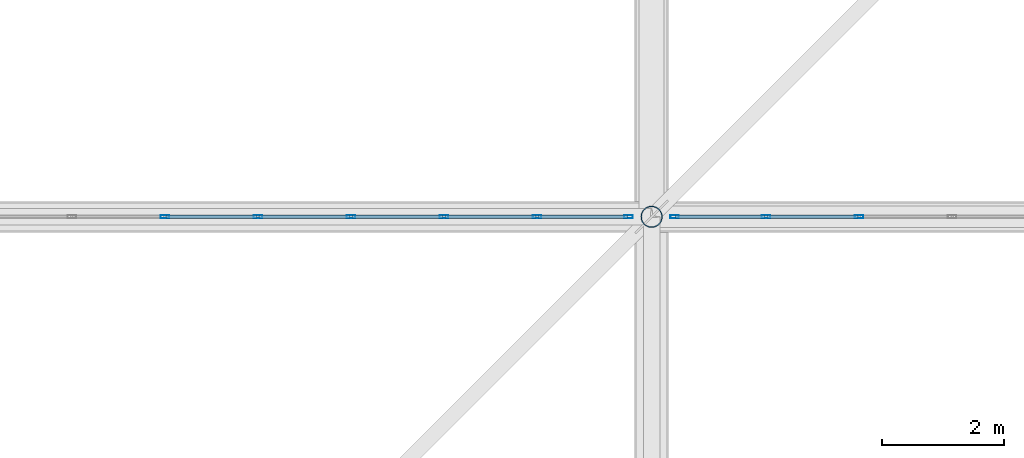
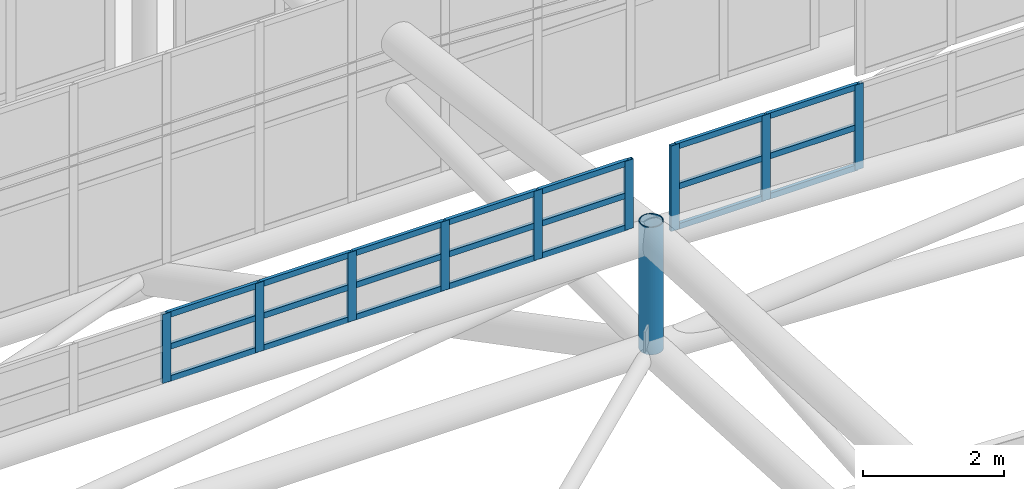
# One storey, part 299 of 397: 31 members, 2 elements without a shape of their own.
"""IFC4 building model written with IfcOpenShell, lengths in metres."""

import ifcopenshell
import ifcopenshell.guid

model = None  # the IFC model being written
_history = None  # IfcOwnerHistory: only IFC2X3 demands one
_inside = {}  # id of a spatial element -> (the spatial element, [elements in it])
_under = {}  # id of a project, library or spatial element -> (it, [spatial elements below it])
_declared = {}  # id of a project -> (the project, [libraries it declares])
_typed = {}  # id of a type object -> (the type object, [elements of that type])
_made_of = {}  # id of a material, layer set ... -> (it, [elements and type objects made of it])


def new_model(schema):
    """Start an empty IFC model of exactly this schema.

    Asked for "IFC4X3", IfcOpenShell would pick the latest addendum, in which some entities
    have other attributes; the version numbers below select the first issue.
    IFC2X3 requires an IfcOwnerHistory on every rooted entity: one is made here for all.
    """
    global model, _history
    if schema == "IFC4X3":
        model = ifcopenshell.file(schema_version=(4, 3, 0, 0))
    else:
        model = ifcopenshell.file(schema=schema)
    _inside.clear()
    _under.clear()
    _declared.clear()
    _typed.clear()
    _made_of.clear()
    _history = None
    if model.schema == "IFC2X3":
        org = make("IfcOrganization", Name="unknown")
        user = make(
            "IfcPersonAndOrganization",
            ThePerson=make("IfcPerson", FamilyName="unknown"),
            TheOrganization=org,
        )
        app = make(
            "IfcApplication",
            ApplicationDeveloper=org,
            Version="unknown",
            ApplicationFullName="unknown",
            ApplicationIdentifier="unknown",
        )
        _history = make(
            "IfcOwnerHistory",
            OwningUser=user,
            OwningApplication=app,
            ChangeAction="ADDED",
            CreationDate=0,
        )
    return model


def make(cls, **values):
    """One entity of the class cls with the attributes given. An attribute that is None is left unset."""
    return model.create_entity(
        cls, **{name: value for name, value in values.items() if value is not None}
    )


def rooted(cls, **values):
    """An entity with a GlobalId (a new one), such as an element, a storey or a relation."""
    return make(cls, GlobalId=ifcopenshell.guid.new(), OwnerHistory=_history, **values)


def si_unit(unit_type, name, prefix=None):
    """IfcSIUnit, for example si_unit("LENGTHUNIT", "METRE", prefix="MILLI")."""
    return make("IfcSIUnit", UnitType=unit_type, Prefix=prefix, Name=name)


def assignment(units):
    """IfcUnitAssignment: the units of a project."""
    return None if units is None else make("IfcUnitAssignment", Units=units)


def point(xyz):
    """IfcCartesianPoint."""
    return None if xyz is None else make("IfcCartesianPoint", Coordinates=xyz)


def direction(xyz):
    """IfcDirection."""
    return None if xyz is None else make("IfcDirection", DirectionRatios=xyz)


def frame(location, z_axis=None, x_axis=None):
    """IfcAxis2Placement3D, a coordinate frame: its origin and axes. An axis left out is left unset."""
    return make(
        "IfcAxis2Placement3D",
        Location=point(location),
        Axis=direction(z_axis),
        RefDirection=direction(x_axis),
    )


def frame_2d(location, x_axis=None):
    """IfcAxis2Placement2D, a coordinate frame in the plane: its origin and x axis."""
    return make(
        "IfcAxis2Placement2D", Location=point(location), RefDirection=direction(x_axis)
    )


def origin():
    """The frame at (0, 0, 0) with its axes left unset."""
    return frame((0.0, 0.0, 0.0))


def origin_2d():
    """The frame at (0, 0) in the plane with its x axis left unset."""
    return frame_2d((0.0, 0.0))


def place(relative_to, where):
    """IfcLocalPlacement: puts the frame where relative to a parent placement (None: the world)."""
    return make(
        "IfcLocalPlacement", PlacementRelTo=relative_to, RelativePlacement=where
    )


def context(
    kind, dimensions, precision=None, world=None, true_north=None, identifier=None
):
    """IfcGeometricRepresentationContext, for example the 3D "Model" context."""
    return make(
        "IfcGeometricRepresentationContext",
        ContextIdentifier=identifier,
        ContextType=kind,
        CoordinateSpaceDimension=dimensions,
        Precision=precision,
        WorldCoordinateSystem=world,
        TrueNorth=true_north,
    )


def subcontext(parent, identifier, kind, view, scale=None):
    """IfcGeometricRepresentationSubContext, for example "Body" below "Model"."""
    return make(
        "IfcGeometricRepresentationSubContext",
        ContextIdentifier=identifier,
        ContextType=kind,
        ParentContext=parent,
        TargetScale=scale,
        TargetView=view,
    )


def project(units=None, contexts=None):
    """IfcProject with its units and contexts."""
    return rooted(
        "IfcProject",
        Name="project",
        RepresentationContexts=contexts,
        UnitsInContext=assignment(units),
    )


def spatial(cls, under=None, at=None, **own):
    """A site, building, storey or space (cls), placed at a placement, below another one or the project."""
    s = rooted(cls, ObjectPlacement=at, **own)
    if under is not None:
        _under.setdefault(under.id(), (under, []))[1].append(s)
    return s


def profile(cls, at=None, kind="AREA", **sizes):
    """A parametric profile (cls). Its sizes go by their IFC names, for example OverallWidth=200.0."""
    return make(cls, ProfileType=kind, Position=at, **sizes)


def hollow_rectangle(**sizes):
    """IfcRectangleHollowProfileDef."""
    return profile("IfcRectangleHollowProfileDef", **sizes)


def hollow_circle(**sizes):
    """IfcCircleHollowProfileDef."""
    return profile("IfcCircleHollowProfileDef", **sizes)


def extrude(swept, where, along, depth):
    """IfcExtrudedAreaSolid: the profile swept, set in the frame where, extruded along a direction by depth."""
    return make(
        "IfcExtrudedAreaSolid",
        SweptArea=swept,
        Position=where,
        ExtrudedDirection=direction(along),
        Depth=depth,
    )


def shape(context_of_items, identifier, shape_type, items):
    """IfcShapeRepresentation: the items that make up one representation, for example the "Body"."""
    return make(
        "IfcShapeRepresentation",
        ContextOfItems=context_of_items,
        RepresentationIdentifier=identifier,
        RepresentationType=shape_type,
        Items=items,
    )


def material(Name=None, Category=None):
    """IfcMaterial."""
    return make("IfcMaterial", Name=Name, Category=Category)


def material_profile(
    of_material, cross_section, Name=None, Category=None, Priority=None
):
    """IfcMaterialProfile: a cross section and its material."""
    return make(
        "IfcMaterialProfile",
        Name=Name,
        Material=of_material,
        Profile=cross_section,
        Priority=Priority,
        Category=Category,
    )


def profile_set(profiles, Name=None, composite=None):
    """IfcMaterialProfileSet."""
    return make(
        "IfcMaterialProfileSet",
        Name=Name,
        MaterialProfiles=profiles,
        CompositeProfile=composite,
    )


def made_of(thing, what):
    """Note that an element or type object is made of a material, layer set ...; save() writes the relation."""
    if what is not None:
        _made_of.setdefault(what.id(), (what, []))[1].append(thing)
    return thing


def type_object(cls, material=None, **own):
    """A type object (cls), such as IfcWallType, which elements share."""
    return made_of(rooted(cls, **own), material)


def element(
    cls,
    number,
    at=None,
    inside=None,
    cuts=None,
    type_object=None,
    material=None,
    context=None,
    identifier="Body",
    shape_type=None,
    held_by="IfcProductDefinitionShape",
    body=None,
    shapes=None,
    **own,
):
    """One element of the class cls, such as IfcWall. Its Tag is "e" and its number.

    at: its placement. inside: the storey or other place that contains it. cuts: it is an
    opening in that element (IfcRelVoidsElement). A single representation is given by context,
    identifier, shape_type and body (its items); several are given by shapes. held_by: the class
    of the entity that holds the representations. save() writes the other relations.
    """
    e = rooted(cls, Tag="e%d" % number, ObjectPlacement=at, **own)
    if body is not None:
        shapes = [shape(context, identifier, shape_type, body)]
    if shapes is not None:
        e.Representation = make(held_by, Representations=shapes)
    if inside is not None:
        _inside.setdefault(inside.id(), (inside, []))[1].append(e)
    if cuts is not None:
        rooted(
            "IfcRelVoidsElement", RelatingBuildingElement=cuts, RelatedOpeningElement=e
        )
    if type_object is not None:
        _typed.setdefault(type_object.id(), (type_object, []))[1].append(e)
    return made_of(e, material)


def aggregate(whole, parts):
    """IfcRelAggregates: a whole, such as a stair, and the parts it consists of."""
    return rooted("IfcRelAggregates", RelatingObject=whole, RelatedObjects=parts)


def save(model, path):
    """Write the relations noted so far, then the file.

    IfcRelAggregates (storeys below a building ...), IfcRelContainedInSpatialStructure (elements
    in a storey), IfcRelDefinesByType, IfcRelAssociatesMaterial and IfcRelDeclares: one each for
    every whole, place, type object, material and project.
    """
    for whole, parts in _under.values():
        aggregate(whole, parts)
    for where, things in _inside.values():
        rooted(
            "IfcRelContainedInSpatialStructure",
            RelatedElements=things,
            RelatingStructure=where,
        )
    for kind, things in _typed.values():
        rooted("IfcRelDefinesByType", RelatedObjects=things, RelatingType=kind)
    for what, things in _made_of.values():
        rooted("IfcRelAssociatesMaterial", RelatedObjects=things, RelatingMaterial=what)
    for by, libraries in _declared.values():
        rooted("IfcRelDeclares", RelatingContext=by, RelatedDefinitions=libraries)
    model.write(path)


model = new_model("IFC4")

# Units and contexts
model_context = context("Model", 3, precision=1e-05, world=origin(), true_north=direction((0.0, 1.0)))
body_context = subcontext(model_context, "Body", "Model", "MODEL_VIEW")
ifc_project = project(units=[si_unit("LENGTHUNIT", "METRE"), si_unit("AREAUNIT", "SQUARE_METRE"), si_unit("VOLUMEUNIT", "CUBIC_METRE"), si_unit("PLANEANGLEUNIT", "RADIAN"), si_unit("MASSUNIT", "GRAM", prefix="KILO")], contexts=[model_context])

# Site, building, storey
site_placement = place(None, origin())
site = spatial("IfcSite", under=ifc_project, at=site_placement, CompositionType="ELEMENT")
building_placement = place(site_placement, origin())
building = spatial("IfcBuilding", under=site, at=building_placement, Name="Qandorah Velis Arena", CompositionType="ELEMENT")
storey_placement = place(building_placement, frame((0.0, 0.0, 27.5)))
storey = spatial("IfcBuildingStorey", under=building, at=storey_placement, Name="RF", CompositionType="ELEMENT", Elevation=27.5)

# Curtain wall, members
ifc_material_1 = material(Name="Solar-control low-E double glazing", Category="glass")
curtain_wall_type_1 = type_object("IfcCurtainWallType", Name="ARC-CW-SYS23", PredefinedType="USERDEFINED", material=ifc_material_1)
curtain_wall_1_placement = place(storey_placement, origin())
curtain_wall_1 = element("IfcCurtainWall", 1, at=curtain_wall_1_placement, inside=storey, type_object=curtain_wall_type_1, Name="Unitised curtain wall OCULUS-4-3", ObjectType="UNITISED CURTAIN WALL", PredefinedType="USERDEFINED")
ifc_material_2 = material(Name="Champagne-bronze anodized aluminium 6063-T6", Category="aluminium")
ifc_material_profile_1 = material_profile(ifc_material_2, hollow_rectangle(XDim=0.054931640625, YDim=0.139892578125, WallThickness=0.0029296875, at=origin_2d()), Name="ALU MULLION 55x140")
ifc_profile_set_1 = profile_set([ifc_material_profile_1], Name="Champagne-bronze anodized aluminium 6063-T6")
member_type_1 = type_object("IfcMemberType", Name="ARC-CWM-140", PredefinedType="MULLION", material=ifc_profile_set_1)
member_1_placement = place(storey_placement, frame((64.038818359375, 100.800048828125, 9.81640625), z_axis=(0.0, 0.0, 1.0), x_axis=(0.0, 1.0, 0.0)))
member_1 = element("IfcMember", 2, at=member_1_placement, type_object=member_type_1, Name="CW23 mullion 5", PredefinedType="MULLION", context=body_context, shape_type="SweptSolid", body=[
    extrude(hollow_rectangle(XDim=0.054931640625, YDim=0.139892578125, WallThickness=0.0029296875, at=origin_2d()), origin(), (0.0, 0.0, 1.0), 1.198486328125),
])
member_2_placement = place(storey_placement, frame((65.56103515625, 100.800048828125, 9.81640625), z_axis=(0.0, 0.0, 1.0), x_axis=(0.0, 1.0, 0.0)))
member_2 = element("IfcMember", 3, at=member_2_placement, type_object=member_type_1, Name="CW23 mullion 6", PredefinedType="MULLION", context=body_context, shape_type="SweptSolid", body=[
    extrude(hollow_rectangle(XDim=0.054931640625, YDim=0.139892578125, WallThickness=0.0029296875, at=origin_2d()), origin(), (0.0, 0.0, 1.0), 1.198486328125),
])
member_3_placement = place(storey_placement, frame((67.083251953125, 100.800048828125, 9.81640625), z_axis=(0.0, 0.0, 1.0), x_axis=(0.0, 1.0, 0.0)))
member_3 = element("IfcMember", 4, at=member_3_placement, type_object=member_type_1, Name="CW23 mullion 7", PredefinedType="MULLION", context=body_context, shape_type="SweptSolid", body=[
    extrude(hollow_rectangle(XDim=0.054931640625, YDim=0.139892578125, WallThickness=0.0029296875, at=origin_2d()), origin(), (0.0, 0.0, 1.0), 1.198486328125),
])
member_4_placement = place(storey_placement, frame((68.60546875, 100.800048828125, 9.81640625), z_axis=(0.0, 0.0, 1.0), x_axis=(0.0, 1.0, 0.0)))
member_4 = element("IfcMember", 5, at=member_4_placement, type_object=member_type_1, Name="CW23 mullion 8", PredefinedType="MULLION", context=body_context, shape_type="SweptSolid", body=[
    extrude(hollow_rectangle(XDim=0.054931640625, YDim=0.139892578125, WallThickness=0.0029296875, at=origin_2d()), origin(), (0.0, 0.0, 1.0), 1.198486328125),
])
member_5_placement = place(storey_placement, frame((70.127685546875, 100.800048828125, 9.81640625), z_axis=(0.0, 0.0, 1.0), x_axis=(0.0, 1.0, 0.0)))
member_5 = element("IfcMember", 6, at=member_5_placement, type_object=member_type_1, Name="CW23 mullion 9", PredefinedType="MULLION", context=body_context, shape_type="SweptSolid", body=[
    extrude(hollow_rectangle(XDim=0.054931640625, YDim=0.139892578125, WallThickness=0.0029296875, at=origin_2d()), origin(), (0.0, 0.0, 1.0), 1.198486328125),
])
member_6_placement = place(storey_placement, frame((71.62255859375, 100.800048828125, 9.81640625), z_axis=(0.0, 0.0, 1.0), x_axis=(0.0, 1.0, 0.0)))
member_6 = element("IfcMember", 7, at=member_6_placement, type_object=member_type_1, Name="CW23 mullion 10", PredefinedType="MULLION", context=body_context, shape_type="SweptSolid", body=[
    extrude(hollow_rectangle(XDim=0.054931640625, YDim=0.139892578125, WallThickness=0.0029296875, at=origin_2d()), origin(), (0.0, 0.0, 1.0), 1.198486328125),
])

curtain_wall_type_2 = type_object("IfcCurtainWallType", Name="ARC-CW-SYS24", PredefinedType="USERDEFINED", material=ifc_material_1)
curtain_wall_2_placement = place(storey_placement, origin())
curtain_wall_2 = element("IfcCurtainWall", 8, at=curtain_wall_2_placement, inside=storey, type_object=curtain_wall_type_2, Name="Unitised curtain wall OCULUS-4-4", ObjectType="UNITISED CURTAIN WALL", PredefinedType="USERDEFINED")
member_7_placement = place(storey_placement, frame((72.37744140625, 100.800048828125, 9.5341796875), z_axis=(0.0, 0.0, 1.0), x_axis=(0.0, 1.0, 0.0)))
member_7 = element("IfcMember", 9, at=member_7_placement, type_object=member_type_1, Name="CW24 mullion 1", PredefinedType="MULLION", context=body_context, shape_type="SweptSolid", body=[
    extrude(hollow_rectangle(XDim=0.054931640625, YDim=0.139892578125, WallThickness=0.0029296875, at=origin_2d()), origin(), (0.0, 0.0, 1.0), 1.480712890625),
])
member_8_placement = place(storey_placement, frame((73.872314453125, 100.800048828125, 9.5341796875), z_axis=(0.0, 0.0, 1.0), x_axis=(0.0, 1.0, 0.0)))
member_8 = element("IfcMember", 10, at=member_8_placement, type_object=member_type_1, Name="CW24 mullion 2", PredefinedType="MULLION", context=body_context, shape_type="SweptSolid", body=[
    extrude(hollow_rectangle(XDim=0.054931640625, YDim=0.139892578125, WallThickness=0.0029296875, at=origin_2d()), origin(), (0.0, 0.0, 1.0), 1.480712890625),
])
member_9_placement = place(storey_placement, frame((75.39453125, 100.800048828125, 9.5341796875), z_axis=(0.0, 0.0, 1.0), x_axis=(0.0, 1.0, 0.0)))
member_9 = element("IfcMember", 11, at=member_9_placement, type_object=member_type_1, Name="CW24 mullion 3", PredefinedType="MULLION", context=body_context, shape_type="SweptSolid", body=[
    extrude(hollow_rectangle(XDim=0.054931640625, YDim=0.139892578125, WallThickness=0.0029296875, at=origin_2d()), origin(), (0.0, 0.0, 1.0), 1.480712890625),
])

# Member
ifc_material_profile_2 = material_profile(ifc_material_2, hollow_rectangle(XDim=0.054931640625, YDim=0.10009765625, WallThickness=0.0029296875, at=origin_2d()), Name="ALU TRANSOM 55x100")
ifc_profile_set_2 = profile_set([ifc_material_profile_2], Name="Champagne-bronze anodized aluminium 6063-T6")
member_type_2 = type_object("IfcMemberType", Name="ARC-CWT-100", PredefinedType="USERDEFINED", material=ifc_profile_set_2)
member_10_placement = place(storey_placement, frame((64.054443359375, 100.800048828125, 9.85888671875), z_axis=(1.0, 0.0, 0.0), x_axis=(0.0, 1.0, 0.0)))
member_10 = element("IfcMember", 12, at=member_10_placement, type_object=member_type_2, Name="CW23 transom 5.1", ObjectType="TRANSOM", PredefinedType="USERDEFINED", context=body_context, shape_type="SweptSolid", body=[
    extrude(hollow_rectangle(XDim=0.054931640625, YDim=0.10009765625, WallThickness=0.0029296875, at=origin_2d()), origin(), (0.0, 0.0, 1.0), 1.4912109375),
])

member_11_placement = place(storey_placement, frame((64.054443359375, 100.800048828125, 10.415771484375), z_axis=(1.0, 0.0, 0.0), x_axis=(0.0, 1.0, 0.0)))
member_11 = element("IfcMember", 13, at=member_11_placement, type_object=member_type_2, Name="CW23 transom 5.2", ObjectType="TRANSOM", PredefinedType="USERDEFINED", context=body_context, shape_type="SweptSolid", body=[
    extrude(hollow_rectangle(XDim=0.054931640625, YDim=0.10009765625, WallThickness=0.0029296875, at=origin_2d()), origin(), (0.0, 0.0, 1.0), 1.4912109375),
])

member_12_placement = place(storey_placement, frame((64.054443359375, 100.800048828125, 10.972412109375), z_axis=(1.0, 0.0, 0.0), x_axis=(0.0, 1.0, 0.0)))
member_12 = element("IfcMember", 14, at=member_12_placement, type_object=member_type_2, Name="CW23 transom 5.3", ObjectType="TRANSOM", PredefinedType="USERDEFINED", context=body_context, shape_type="SweptSolid", body=[
    extrude(hollow_rectangle(XDim=0.054931640625, YDim=0.10009765625, WallThickness=0.0029296875, at=origin_2d()), origin(), (0.0, 0.0, 1.0), 1.4912109375),
])

member_13_placement = place(storey_placement, frame((65.57666015625, 100.800048828125, 9.85888671875), z_axis=(1.0, 0.0, 0.0), x_axis=(0.0, 1.0, 0.0)))
member_13 = element("IfcMember", 15, at=member_13_placement, type_object=member_type_2, Name="CW23 transom 6.1", ObjectType="TRANSOM", PredefinedType="USERDEFINED", context=body_context, shape_type="SweptSolid", body=[
    extrude(hollow_rectangle(XDim=0.054931640625, YDim=0.10009765625, WallThickness=0.0029296875, at=origin_2d()), origin(), (0.0, 0.0, 1.0), 1.4912109375),
])

member_14_placement = place(storey_placement, frame((65.57666015625, 100.800048828125, 10.415771484375), z_axis=(1.0, 0.0, 0.0), x_axis=(0.0, 1.0, 0.0)))
member_14 = element("IfcMember", 16, at=member_14_placement, type_object=member_type_2, Name="CW23 transom 6.2", ObjectType="TRANSOM", PredefinedType="USERDEFINED", context=body_context, shape_type="SweptSolid", body=[
    extrude(hollow_rectangle(XDim=0.054931640625, YDim=0.10009765625, WallThickness=0.0029296875, at=origin_2d()), origin(), (0.0, 0.0, 1.0), 1.4912109375),
])

member_15_placement = place(storey_placement, frame((65.57666015625, 100.800048828125, 10.972412109375), z_axis=(1.0, 0.0, 0.0), x_axis=(0.0, 1.0, 0.0)))
member_15 = element("IfcMember", 17, at=member_15_placement, type_object=member_type_2, Name="CW23 transom 6.3", ObjectType="TRANSOM", PredefinedType="USERDEFINED", context=body_context, shape_type="SweptSolid", body=[
    extrude(hollow_rectangle(XDim=0.054931640625, YDim=0.10009765625, WallThickness=0.0029296875, at=origin_2d()), origin(), (0.0, 0.0, 1.0), 1.4912109375),
])

member_16_placement = place(storey_placement, frame((67.098876953125, 100.800048828125, 9.85888671875), z_axis=(1.0, 0.0, 0.0), x_axis=(0.0, 1.0, 0.0)))
member_16 = element("IfcMember", 18, at=member_16_placement, type_object=member_type_2, Name="CW23 transom 7.1", ObjectType="TRANSOM", PredefinedType="USERDEFINED", context=body_context, shape_type="SweptSolid", body=[
    extrude(hollow_rectangle(XDim=0.054931640625, YDim=0.10009765625, WallThickness=0.0029296875, at=origin_2d()), origin(), (0.0, 0.0, 1.0), 1.4912109375),
])

member_17_placement = place(storey_placement, frame((67.098876953125, 100.800048828125, 10.415771484375), z_axis=(1.0, 0.0, 0.0), x_axis=(0.0, 1.0, 0.0)))
member_17 = element("IfcMember", 19, at=member_17_placement, type_object=member_type_2, Name="CW23 transom 7.2", ObjectType="TRANSOM", PredefinedType="USERDEFINED", context=body_context, shape_type="SweptSolid", body=[
    extrude(hollow_rectangle(XDim=0.054931640625, YDim=0.10009765625, WallThickness=0.0029296875, at=origin_2d()), origin(), (0.0, 0.0, 1.0), 1.4912109375),
])

member_18_placement = place(storey_placement, frame((67.098876953125, 100.800048828125, 10.972412109375), z_axis=(1.0, 0.0, 0.0), x_axis=(0.0, 1.0, 0.0)))
member_18 = element("IfcMember", 20, at=member_18_placement, type_object=member_type_2, Name="CW23 transom 7.3", ObjectType="TRANSOM", PredefinedType="USERDEFINED", context=body_context, shape_type="SweptSolid", body=[
    extrude(hollow_rectangle(XDim=0.054931640625, YDim=0.10009765625, WallThickness=0.0029296875, at=origin_2d()), origin(), (0.0, 0.0, 1.0), 1.4912109375),
])

member_19_placement = place(storey_placement, frame((68.62109375, 100.800048828125, 9.85888671875), z_axis=(1.0, 0.0, 0.0), x_axis=(0.0, 1.0, 0.0)))
member_19 = element("IfcMember", 21, at=member_19_placement, type_object=member_type_2, Name="CW23 transom 8.1", ObjectType="TRANSOM", PredefinedType="USERDEFINED", context=body_context, shape_type="SweptSolid", body=[
    extrude(hollow_rectangle(XDim=0.054931640625, YDim=0.10009765625, WallThickness=0.0029296875, at=origin_2d()), origin(), (0.0, 0.0, 1.0), 1.4912109375),
])

member_20_placement = place(storey_placement, frame((68.62109375, 100.800048828125, 10.415771484375), z_axis=(1.0, 0.0, 0.0), x_axis=(0.0, 1.0, 0.0)))
member_20 = element("IfcMember", 22, at=member_20_placement, type_object=member_type_2, Name="CW23 transom 8.2", ObjectType="TRANSOM", PredefinedType="USERDEFINED", context=body_context, shape_type="SweptSolid", body=[
    extrude(hollow_rectangle(XDim=0.054931640625, YDim=0.10009765625, WallThickness=0.0029296875, at=origin_2d()), origin(), (0.0, 0.0, 1.0), 1.4912109375),
])

member_21_placement = place(storey_placement, frame((68.62109375, 100.800048828125, 10.972412109375), z_axis=(1.0, 0.0, 0.0), x_axis=(0.0, 1.0, 0.0)))
member_21 = element("IfcMember", 23, at=member_21_placement, type_object=member_type_2, Name="CW23 transom 8.3", ObjectType="TRANSOM", PredefinedType="USERDEFINED", context=body_context, shape_type="SweptSolid", body=[
    extrude(hollow_rectangle(XDim=0.054931640625, YDim=0.10009765625, WallThickness=0.0029296875, at=origin_2d()), origin(), (0.0, 0.0, 1.0), 1.4912109375),
])

member_22_placement = place(storey_placement, frame((70.143310546875, 100.800048828125, 9.85888671875), z_axis=(1.0, 0.0, 0.0), x_axis=(0.0, 1.0, 0.0)))
member_22 = element("IfcMember", 24, at=member_22_placement, type_object=member_type_2, Name="CW23 transom 9.1", ObjectType="TRANSOM", PredefinedType="USERDEFINED", context=body_context, shape_type="SweptSolid", body=[
    extrude(hollow_rectangle(XDim=0.054931640625, YDim=0.10009765625, WallThickness=0.0029296875, at=origin_2d()), origin(), (0.0, 0.0, 1.0), 1.463623046875),
])

member_23_placement = place(storey_placement, frame((70.143310546875, 100.800048828125, 10.415771484375), z_axis=(1.0, 0.0, 0.0), x_axis=(0.0, 1.0, 0.0)))
member_23 = element("IfcMember", 25, at=member_23_placement, type_object=member_type_2, Name="CW23 transom 9.2", ObjectType="TRANSOM", PredefinedType="USERDEFINED", context=body_context, shape_type="SweptSolid", body=[
    extrude(hollow_rectangle(XDim=0.054931640625, YDim=0.10009765625, WallThickness=0.0029296875, at=origin_2d()), origin(), (0.0, 0.0, 1.0), 1.463623046875),
])

member_24_placement = place(storey_placement, frame((70.143310546875, 100.800048828125, 10.972412109375), z_axis=(1.0, 0.0, 0.0), x_axis=(0.0, 1.0, 0.0)))
member_24 = element("IfcMember", 26, at=member_24_placement, type_object=member_type_2, Name="CW23 transom 9.3", ObjectType="TRANSOM", PredefinedType="USERDEFINED", context=body_context, shape_type="SweptSolid", body=[
    extrude(hollow_rectangle(XDim=0.054931640625, YDim=0.10009765625, WallThickness=0.0029296875, at=origin_2d()), origin(), (0.0, 0.0, 1.0), 1.463623046875),
])

aggregate(curtain_wall_1, [member_1, member_2, member_3, member_4, member_5, member_6, member_10, member_11, member_12, member_13, member_14, member_15, member_16, member_17, member_18, member_19, member_20, member_21, member_22, member_23, member_24])

member_25_placement = place(storey_placement, frame((72.39306640625, 100.800048828125, 9.57666015625), z_axis=(1.0, 0.0, 0.0), x_axis=(0.0, 1.0, 0.0)))
member_25 = element("IfcMember", 27, at=member_25_placement, type_object=member_type_2, Name="CW24 transom 1.1", ObjectType="TRANSOM", PredefinedType="USERDEFINED", context=body_context, shape_type="SweptSolid", body=[
    extrude(hollow_rectangle(XDim=0.054931640625, YDim=0.10009765625, WallThickness=0.0029296875, at=origin_2d()), origin(), (0.0, 0.0, 1.0), 1.463623046875),
])

member_26_placement = place(storey_placement, frame((72.39306640625, 100.800048828125, 10.274658203125), z_axis=(1.0, 0.0, 0.0), x_axis=(0.0, 1.0, 0.0)))
member_26 = element("IfcMember", 28, at=member_26_placement, type_object=member_type_2, Name="CW24 transom 1.2", ObjectType="TRANSOM", PredefinedType="USERDEFINED", context=body_context, shape_type="SweptSolid", body=[
    extrude(hollow_rectangle(XDim=0.054931640625, YDim=0.10009765625, WallThickness=0.0029296875, at=origin_2d()), origin(), (0.0, 0.0, 1.0), 1.463623046875),
])

member_27_placement = place(storey_placement, frame((72.39306640625, 100.800048828125, 10.972412109375), z_axis=(1.0, 0.0, 0.0), x_axis=(0.0, 1.0, 0.0)))
member_27 = element("IfcMember", 29, at=member_27_placement, type_object=member_type_2, Name="CW24 transom 1.3", ObjectType="TRANSOM", PredefinedType="USERDEFINED", context=body_context, shape_type="SweptSolid", body=[
    extrude(hollow_rectangle(XDim=0.054931640625, YDim=0.10009765625, WallThickness=0.0029296875, at=origin_2d()), origin(), (0.0, 0.0, 1.0), 1.463623046875),
])

member_28_placement = place(storey_placement, frame((73.8876953125, 100.800048828125, 9.57666015625), z_axis=(1.0, 0.0, 0.0), x_axis=(0.0, 1.0, 0.0)))
member_28 = element("IfcMember", 30, at=member_28_placement, type_object=member_type_2, Name="CW24 transom 2.1", ObjectType="TRANSOM", PredefinedType="USERDEFINED", context=body_context, shape_type="SweptSolid", body=[
    extrude(hollow_rectangle(XDim=0.054931640625, YDim=0.10009765625, WallThickness=0.0029296875, at=origin_2d()), origin(), (0.0, 0.0, 1.0), 1.4912109375),
])

member_29_placement = place(storey_placement, frame((73.8876953125, 100.800048828125, 10.274658203125), z_axis=(1.0, 0.0, 0.0), x_axis=(0.0, 1.0, 0.0)))
member_29 = element("IfcMember", 31, at=member_29_placement, type_object=member_type_2, Name="CW24 transom 2.2", ObjectType="TRANSOM", PredefinedType="USERDEFINED", context=body_context, shape_type="SweptSolid", body=[
    extrude(hollow_rectangle(XDim=0.054931640625, YDim=0.10009765625, WallThickness=0.0029296875, at=origin_2d()), origin(), (0.0, 0.0, 1.0), 1.4912109375),
])

member_30_placement = place(storey_placement, frame((73.8876953125, 100.800048828125, 10.972412109375), z_axis=(1.0, 0.0, 0.0), x_axis=(0.0, 1.0, 0.0)))
member_30 = element("IfcMember", 32, at=member_30_placement, type_object=member_type_2, Name="CW24 transom 2.3", ObjectType="TRANSOM", PredefinedType="USERDEFINED", context=body_context, shape_type="SweptSolid", body=[
    extrude(hollow_rectangle(XDim=0.054931640625, YDim=0.10009765625, WallThickness=0.0029296875, at=origin_2d()), origin(), (0.0, 0.0, 1.0), 1.4912109375),
])

aggregate(curtain_wall_2, [member_7, member_8, member_9, member_25, member_26, member_27, member_28, member_29, member_30])

ifc_material_3 = material(Name="Steel S355", Category="steel")
ifc_material_profile_3 = material_profile(ifc_material_3, hollow_circle(Radius=0.177734375, WallThickness=0.01611328125, at=origin_2d()), Name="CHS 355.6x16")
ifc_profile_set_3 = profile_set([ifc_material_profile_3], Name="Steel S355")
member_type_3 = type_object("IfcMemberType", Name="STR-SFD-CHS355X16", PredefinedType="STRUT", material=ifc_profile_set_3)
member_31_placement = place(storey_placement, frame((72.0, 100.800048828125, 7.61328125), z_axis=(0.0, 0.0, 1.0), x_axis=(1.0, 0.0, 0.0)))
element("IfcMember", 33, at=member_31_placement, inside=storey, type_object=member_type_3, Name="Space frame roof vertical post 4.6", PredefinedType="STRUT", context=body_context, shape_type="SweptSolid", body=[
    extrude(hollow_circle(Radius=0.177734375, WallThickness=0.01611328125, at=origin_2d()), origin(), (0.0, 0.0, 1.0), 2.2099609375),
])

save(model, "model.ifc")
